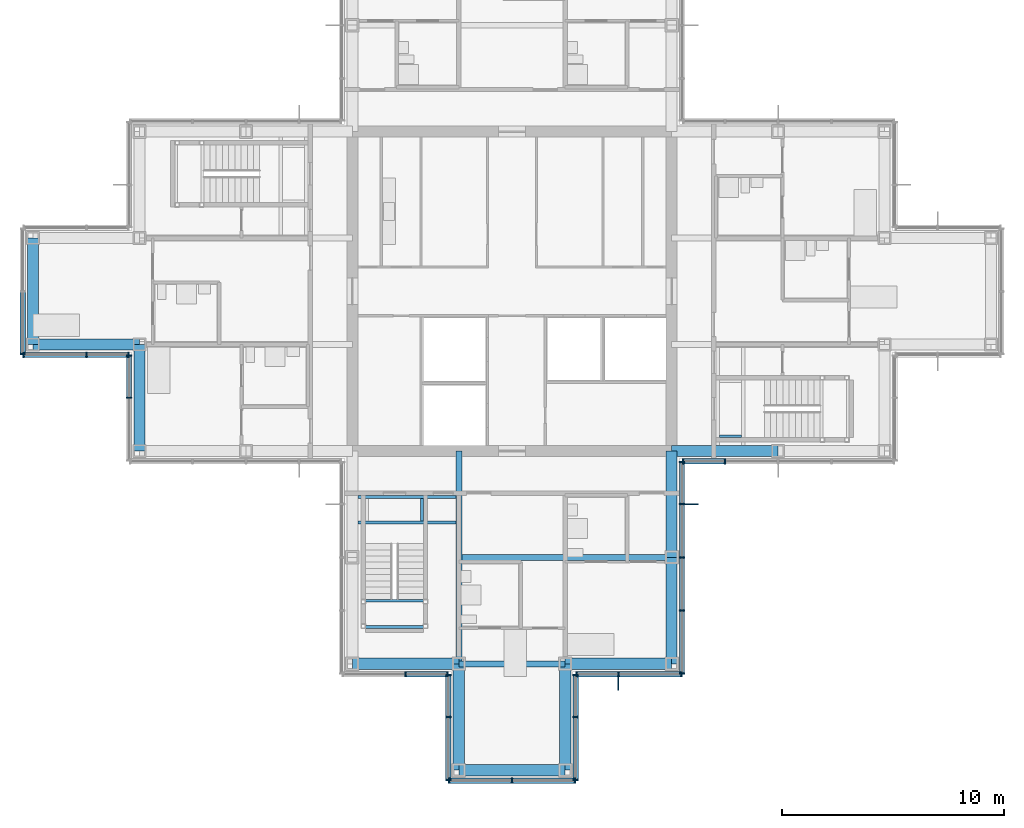
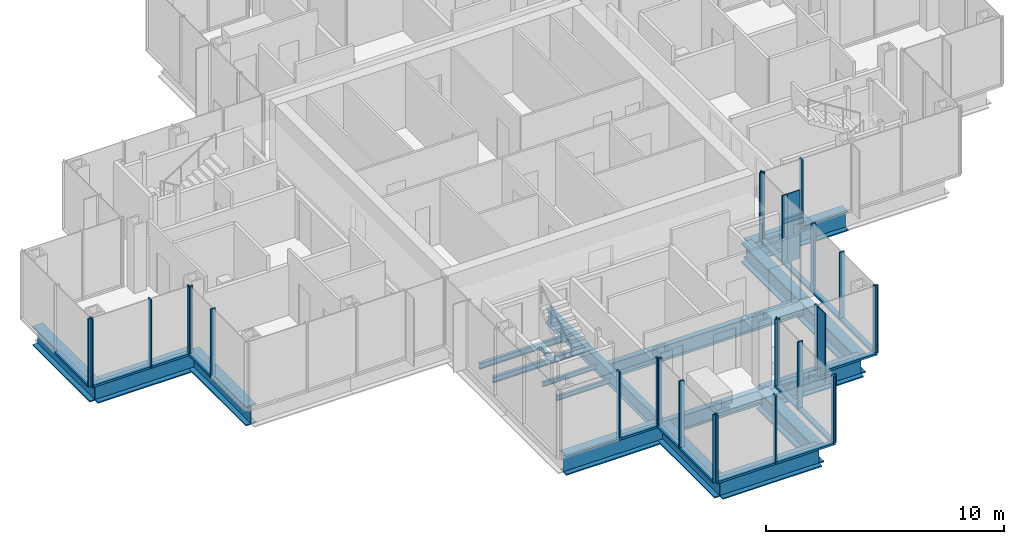
# One storey, part 6 of 17: 47 members, 20 beams, 10 elements without a shape of their own.
"""IFC4 building model written with IfcOpenShell, lengths in metres."""

from ifc_helpers import new_model, si_unit, direction, frame, origin, origin_2d, place, context, subcontext, project, spatial, rectangle, i_section, extrude, material, material_profile, profile_set, type_object, element, aggregate, save


model = new_model("IFC4")

# Units and contexts
model_context = context("Model", 3, precision=1e-05, world=origin(), true_north=direction((0.0, 1.0)))
body_context = subcontext(model_context, "Body", "Model", "MODEL_VIEW")
ifc_project = project(units=[si_unit("LENGTHUNIT", "METRE"), si_unit("AREAUNIT", "SQUARE_METRE"), si_unit("VOLUMEUNIT", "CUBIC_METRE"), si_unit("PLANEANGLEUNIT", "RADIAN"), si_unit("MASSUNIT", "GRAM", prefix="KILO")], contexts=[model_context])

# Site, building, storey
site_placement = place(None, origin())
site = spatial("IfcSite", under=ifc_project, at=site_placement, CompositionType="ELEMENT")
building_placement = place(site_placement, origin())
building = spatial("IfcBuilding", under=site, at=building_placement, Name="Kvirike Care Tower", CompositionType="ELEMENT")
storey_placement = place(building_placement, frame((0.0, 0.0, 179.5)))
storey = spatial("IfcBuildingStorey", under=building, at=storey_placement, Name="L49", CompositionType="ELEMENT", Elevation=179.5)

# Curtain wall, member
ifc_material_1 = material(Name="Anodised aluminium stick system", Category="aluminium")
curtain_wall_type = type_object("IfcCurtainWallType", Name="CW-C STICK CURTAIN WALL", PredefinedType="NOTDEFINED", material=ifc_material_1)
curtain_wall_1_placement = place(storey_placement, origin())
curtain_wall_1 = element("IfcCurtainWall", 1, at=curtain_wall_1_placement, inside=storey, type_object=curtain_wall_type, Name="Curtain wall L49 face 27", PredefinedType="NOTDEFINED")
ifc_material_2 = material(Name="Bronze anodised aluminium fin", Category="aluminium")
ifc_material_profile_1 = material_profile(ifc_material_2, rectangle(XDim=0.050048828125, YDim=0.60009765625, at=origin_2d()), Name="BRONZE FIN 600")
ifc_profile_set_1 = profile_set([ifc_material_profile_1], Name="Bronze anodised aluminium fin")
member_type_1 = type_object("IfcMemberType", Name="BRONZE FIN 600", PredefinedType="USERDEFINED", material=ifc_profile_set_1)
member_1_placement = place(storey_placement, frame((26.39990234375, 18.31005859375, 0.0), z_axis=(0.0, 0.0, 1.0), x_axis=(1.0, 0.0, 0.0)))
member_1 = element("IfcMember", 2, at=member_1_placement, type_object=member_type_1, Name="Bronze fin L49 face 27.2", ObjectType="FIN", PredefinedType="USERDEFINED", context=body_context, shape_type="SweptSolid", body=[
    extrude(rectangle(XDim=0.050048828125, YDim=0.60009765625, at=origin_2d()), origin(), (0.0, 0.0, 1.0), 3.5),
])

curtain_wall_2_placement = place(storey_placement, origin())
curtain_wall_2 = element("IfcCurtainWall", 3, at=curtain_wall_2_placement, inside=storey, type_object=curtain_wall_type, Name="Curtain wall L49 face 28", PredefinedType="NOTDEFINED")
member_2_placement = place(storey_placement, frame((29.68994140625, 26.39990234375, 0.0), z_axis=(0.0, 0.0, 1.0), x_axis=(0.0, 1.0, 0.0)))
member_2 = element("IfcMember", 4, at=member_2_placement, type_object=member_type_1, Name="Bronze fin L49 face 28.4", ObjectType="FIN", PredefinedType="USERDEFINED", context=body_context, shape_type="SweptSolid", body=[
    extrude(rectangle(XDim=0.050048828125, YDim=0.60009765625, at=origin_2d()), origin(), (0.0, 0.0, 1.0), 3.5),
])

# Curtain wall, members
curtain_wall_3_placement = place(storey_placement, origin())
curtain_wall_3 = element("IfcCurtainWall", 5, at=curtain_wall_3_placement, inside=storey, type_object=curtain_wall_type, Name="Curtain wall L49 face 1", PredefinedType="NOTDEFINED")
ifc_material_3 = material(Name="Bronze anodised aluminium mullion", Category="aluminium")
ifc_material_profile_2 = material_profile(ifc_material_3, rectangle(XDim=0.06494140625, YDim=0.239990234375, at=origin_2d()), Name="CW-C MULLION 65x240")
ifc_profile_set_2 = profile_set([ifc_material_profile_2], Name="Bronze anodised aluminium mullion")
member_type_2 = type_object("IfcMemberType", Name="CW-C MULLION 65x240", PredefinedType="MULLION", material=ifc_profile_set_2)
member_3_placement = place(storey_placement, frame((29.302490234375, 28.330078125, 0.0), z_axis=(0.0, 0.0, 1.0), x_axis=(1.0, 0.0, 0.0)))
member_3 = element("IfcMember", 6, at=member_3_placement, type_object=member_type_2, Name="CW-C mullion L49 face 1.1", PredefinedType="MULLION", context=body_context, shape_type="SweptSolid", body=[
    extrude(rectangle(XDim=0.06494140625, YDim=0.239990234375, at=origin_2d()), origin(), (0.0, 0.0, 1.0), 3.5),
])
member_4_placement = place(storey_placement, frame((31.199951171875, 28.330078125, 0.0), z_axis=(0.0, 0.0, 1.0), x_axis=(1.0, 0.0, 0.0)))
member_4 = element("IfcMember", 7, at=member_4_placement, type_object=member_type_2, Name="CW-C mullion L49 face 1.2", PredefinedType="MULLION", context=body_context, shape_type="SweptSolid", body=[
    extrude(rectangle(XDim=0.06494140625, YDim=0.239990234375, at=origin_2d()), origin(), (0.0, 0.0, 1.0), 3.5),
])

# Curtain wall, member
curtain_wall_4_placement = place(storey_placement, origin())
curtain_wall_4 = element("IfcCurtainWall", 8, at=curtain_wall_4_placement, inside=storey, type_object=curtain_wall_type, Name="Curtain wall L49 face 18", PredefinedType="NOTDEFINED")
member_5_placement = place(storey_placement, frame((-0.469970703125, 33.16259765625, 0.0), z_axis=(0.0, 0.0, 1.0), x_axis=(0.0, -1.0, 0.0)))
member_5 = element("IfcMember", 9, at=member_5_placement, type_object=member_type_2, Name="CW-C mullion L49 face 18.3", PredefinedType="MULLION", context=body_context, shape_type="SweptSolid", body=[
    extrude(rectangle(XDim=0.06494140625, YDim=0.239990234375, at=origin_2d()), origin(), (0.0, 0.0, 1.0), 3.5),
])

# Curtain wall, members
curtain_wall_5_placement = place(storey_placement, origin())
curtain_wall_5 = element("IfcCurtainWall", 10, at=curtain_wall_5_placement, inside=storey, type_object=curtain_wall_type, Name="Curtain wall L49 face 19", PredefinedType="NOTDEFINED")
member_6_placement = place(storey_placement, frame((-0.4375, 33.1298828125, 0.0), z_axis=(0.0, 0.0, 1.0), x_axis=(1.0, 0.0, 0.0)))
member_6 = element("IfcMember", 11, at=member_6_placement, type_object=member_type_2, Name="CW-C mullion L49 face 19.1", PredefinedType="MULLION", context=body_context, shape_type="SweptSolid", body=[
    extrude(rectangle(XDim=0.06494140625, YDim=0.239990234375, at=origin_2d()), origin(), (0.0, 0.0, 1.0), 3.5),
])
member_7_placement = place(storey_placement, frame((2.39990234375, 33.1298828125, 0.0), z_axis=(0.0, 0.0, 1.0), x_axis=(1.0, 0.0, 0.0)))
member_7 = element("IfcMember", 12, at=member_7_placement, type_object=member_type_2, Name="CW-C mullion L49 face 19.2", PredefinedType="MULLION", context=body_context, shape_type="SweptSolid", body=[
    extrude(rectangle(XDim=0.06494140625, YDim=0.239990234375, at=origin_2d()), origin(), (0.0, 0.0, 1.0), 3.5),
])
member_8_placement = place(storey_placement, frame((4.297607421875, 33.1298828125, 0.0), z_axis=(0.0, 0.0, 1.0), x_axis=(1.0, 0.0, 0.0)))
member_8 = element("IfcMember", 13, at=member_8_placement, type_object=member_type_2, Name="CW-C mullion L49 face 19.3", PredefinedType="MULLION", context=body_context, shape_type="SweptSolid", body=[
    extrude(rectangle(XDim=0.06494140625, YDim=0.239990234375, at=origin_2d()), origin(), (0.0, 0.0, 1.0), 3.5),
])

curtain_wall_6_placement = place(storey_placement, origin())
curtain_wall_6 = element("IfcCurtainWall", 14, at=curtain_wall_6_placement, inside=storey, type_object=curtain_wall_type, Name="Curtain wall L49 face 20", PredefinedType="NOTDEFINED")
member_9_placement = place(storey_placement, frame((4.330078125, 33.097412109375, 0.0), z_axis=(0.0, 0.0, 1.0), x_axis=(0.0, -1.0, 0.0)))
member_9 = element("IfcMember", 15, at=member_9_placement, type_object=member_type_2, Name="CW-C mullion L49 face 20.1", PredefinedType="MULLION", context=body_context, shape_type="SweptSolid", body=[
    extrude(rectangle(XDim=0.06494140625, YDim=0.239990234375, at=origin_2d()), origin(), (0.0, 0.0, 1.0), 3.5),
])
member_10_placement = place(storey_placement, frame((4.330078125, 31.199951171875, 0.0), z_axis=(0.0, 0.0, 1.0), x_axis=(0.0, -1.0, 0.0)))
member_10 = element("IfcMember", 16, at=member_10_placement, type_object=member_type_2, Name="CW-C mullion L49 face 20.2", PredefinedType="MULLION", context=body_context, shape_type="SweptSolid", body=[
    extrude(rectangle(XDim=0.06494140625, YDim=0.239990234375, at=origin_2d()), origin(), (0.0, 0.0, 1.0), 3.5),
])

curtain_wall_7_placement = place(storey_placement, origin())
curtain_wall_7 = element("IfcCurtainWall", 17, at=curtain_wall_7_placement, inside=storey, type_object=curtain_wall_type, Name="Curtain wall L49 face 23", PredefinedType="NOTDEFINED")
member_11_placement = place(storey_placement, frame((16.800048828125, 18.72998046875, 0.0), z_axis=(0.0, 0.0, 1.0), x_axis=(1.0, 0.0, 0.0)))
member_11 = element("IfcMember", 18, at=member_11_placement, type_object=member_type_2, Name="CW-C mullion L49 face 23.2", PredefinedType="MULLION", context=body_context, shape_type="SweptSolid", body=[
    extrude(rectangle(XDim=0.06494140625, YDim=0.239990234375, at=origin_2d()), origin(), (0.0, 0.0, 1.0), 3.5),
])
member_12_placement = place(storey_placement, frame((18.697509765625, 18.72998046875, 0.0), z_axis=(0.0, 0.0, 1.0), x_axis=(1.0, 0.0, 0.0)))
member_12 = element("IfcMember", 19, at=member_12_placement, type_object=member_type_2, Name="CW-C mullion L49 face 23.3", PredefinedType="MULLION", context=body_context, shape_type="SweptSolid", body=[
    extrude(rectangle(XDim=0.06494140625, YDim=0.239990234375, at=origin_2d()), origin(), (0.0, 0.0, 1.0), 3.5),
])

curtain_wall_8_placement = place(storey_placement, origin())
curtain_wall_8 = element("IfcCurtainWall", 20, at=curtain_wall_8_placement, inside=storey, type_object=curtain_wall_type, Name="Curtain wall L49 face 24", PredefinedType="NOTDEFINED")
member_13_placement = place(storey_placement, frame((18.72998046875, 18.697509765625, 0.0), z_axis=(0.0, 0.0, 1.0), x_axis=(0.0, -1.0, 0.0)))
member_13 = element("IfcMember", 21, at=member_13_placement, type_object=member_type_2, Name="CW-C mullion L49 face 24.1", PredefinedType="MULLION", context=body_context, shape_type="SweptSolid", body=[
    extrude(rectangle(XDim=0.06494140625, YDim=0.239990234375, at=origin_2d()), origin(), (0.0, 0.0, 1.0), 3.5),
])
member_14_placement = place(storey_placement, frame((18.72998046875, 16.800048828125, 0.0), z_axis=(0.0, 0.0, 1.0), x_axis=(0.0, -1.0, 0.0)))
member_14 = element("IfcMember", 22, at=member_14_placement, type_object=member_type_2, Name="CW-C mullion L49 face 24.2", PredefinedType="MULLION", context=body_context, shape_type="SweptSolid", body=[
    extrude(rectangle(XDim=0.06494140625, YDim=0.239990234375, at=origin_2d()), origin(), (0.0, 0.0, 1.0), 3.5),
])
member_15_placement = place(storey_placement, frame((18.72998046875, 13.96240234375, 0.0), z_axis=(0.0, 0.0, 1.0), x_axis=(0.0, -1.0, 0.0)))
member_15 = element("IfcMember", 23, at=member_15_placement, type_object=member_type_2, Name="CW-C mullion L49 face 24.3", PredefinedType="MULLION", context=body_context, shape_type="SweptSolid", body=[
    extrude(rectangle(XDim=0.06494140625, YDim=0.239990234375, at=origin_2d()), origin(), (0.0, 0.0, 1.0), 3.5),
])

curtain_wall_9_placement = place(storey_placement, origin())
curtain_wall_9 = element("IfcCurtainWall", 24, at=curtain_wall_9_placement, inside=storey, type_object=curtain_wall_type, Name="Curtain wall L49 face 25", PredefinedType="NOTDEFINED")
member_16_placement = place(storey_placement, frame((18.762451171875, 13.929931640625, 0.0), z_axis=(0.0, 0.0, 1.0), x_axis=(1.0, 0.0, 0.0)))
member_16 = element("IfcMember", 25, at=member_16_placement, type_object=member_type_2, Name="CW-C mullion L49 face 25.1", PredefinedType="MULLION", context=body_context, shape_type="SweptSolid", body=[
    extrude(rectangle(XDim=0.06494140625, YDim=0.239990234375, at=origin_2d()), origin(), (0.0, 0.0, 1.0), 3.5),
])
member_17_placement = place(storey_placement, frame((21.60009765625, 13.929931640625, 0.0), z_axis=(0.0, 0.0, 1.0), x_axis=(1.0, 0.0, 0.0)))
member_17 = element("IfcMember", 26, at=member_17_placement, type_object=member_type_2, Name="CW-C mullion L49 face 25.2", PredefinedType="MULLION", context=body_context, shape_type="SweptSolid", body=[
    extrude(rectangle(XDim=0.06494140625, YDim=0.239990234375, at=origin_2d()), origin(), (0.0, 0.0, 1.0), 3.5),
])
member_18_placement = place(storey_placement, frame((24.4375, 13.929931640625, 0.0), z_axis=(0.0, 0.0, 1.0), x_axis=(1.0, 0.0, 0.0)))
member_18 = element("IfcMember", 27, at=member_18_placement, type_object=member_type_2, Name="CW-C mullion L49 face 25.3", PredefinedType="MULLION", context=body_context, shape_type="SweptSolid", body=[
    extrude(rectangle(XDim=0.06494140625, YDim=0.239990234375, at=origin_2d()), origin(), (0.0, 0.0, 1.0), 3.5),
])

curtain_wall_10_placement = place(storey_placement, origin())
curtain_wall_10 = element("IfcCurtainWall", 28, at=curtain_wall_10_placement, inside=storey, type_object=curtain_wall_type, Name="Curtain wall L49 face 26", PredefinedType="NOTDEFINED")
member_19_placement = place(storey_placement, frame((24.469970703125, 13.96240234375, 0.0), z_axis=(0.0, 0.0, 1.0), x_axis=(0.0, 1.0, 0.0)))
member_19 = element("IfcMember", 29, at=member_19_placement, type_object=member_type_2, Name="CW-C mullion L49 face 26.1", PredefinedType="MULLION", context=body_context, shape_type="SweptSolid", body=[
    extrude(rectangle(XDim=0.06494140625, YDim=0.239990234375, at=origin_2d()), origin(), (0.0, 0.0, 1.0), 3.5),
])
member_20_placement = place(storey_placement, frame((24.469970703125, 16.800048828125, 0.0), z_axis=(0.0, 0.0, 1.0), x_axis=(0.0, 1.0, 0.0)))
member_20 = element("IfcMember", 30, at=member_20_placement, type_object=member_type_2, Name="CW-C mullion L49 face 26.2", PredefinedType="MULLION", context=body_context, shape_type="SweptSolid", body=[
    extrude(rectangle(XDim=0.06494140625, YDim=0.239990234375, at=origin_2d()), origin(), (0.0, 0.0, 1.0), 3.5),
])
member_21_placement = place(storey_placement, frame((24.469970703125, 18.697509765625, 0.0), z_axis=(0.0, 0.0, 1.0), x_axis=(0.0, 1.0, 0.0)))
member_21 = element("IfcMember", 31, at=member_21_placement, type_object=member_type_2, Name="CW-C mullion L49 face 26.3", PredefinedType="MULLION", context=body_context, shape_type="SweptSolid", body=[
    extrude(rectangle(XDim=0.06494140625, YDim=0.239990234375, at=origin_2d()), origin(), (0.0, 0.0, 1.0), 3.5),
])

# Member
member_22_placement = place(storey_placement, frame((24.50244140625, 18.72998046875, 0.0), z_axis=(0.0, 0.0, 1.0), x_axis=(1.0, 0.0, 0.0)))
member_22 = element("IfcMember", 32, at=member_22_placement, type_object=member_type_2, Name="CW-C mullion L49 face 27.1", PredefinedType="MULLION", context=body_context, shape_type="SweptSolid", body=[
    extrude(rectangle(XDim=0.06494140625, YDim=0.239990234375, at=origin_2d()), origin(), (0.0, 0.0, 1.0), 3.5),
])

member_23_placement = place(storey_placement, frame((26.39990234375, 18.72998046875, 0.0), z_axis=(0.0, 0.0, 1.0), x_axis=(1.0, 0.0, 0.0)))
member_23 = element("IfcMember", 33, at=member_23_placement, type_object=member_type_2, Name="CW-C mullion L49 face 27.2", PredefinedType="MULLION", context=body_context, shape_type="SweptSolid", body=[
    extrude(rectangle(XDim=0.06494140625, YDim=0.239990234375, at=origin_2d()), origin(), (0.0, 0.0, 1.0), 3.5),
])

member_24_placement = place(storey_placement, frame((29.237548828125, 18.72998046875, 0.0), z_axis=(0.0, 0.0, 1.0), x_axis=(1.0, 0.0, 0.0)))
member_24 = element("IfcMember", 34, at=member_24_placement, type_object=member_type_2, Name="CW-C mullion L49 face 27.3", PredefinedType="MULLION", context=body_context, shape_type="SweptSolid", body=[
    extrude(rectangle(XDim=0.06494140625, YDim=0.239990234375, at=origin_2d()), origin(), (0.0, 0.0, 1.0), 3.5),
])

member_25_placement = place(storey_placement, frame((29.27001953125, 18.762451171875, 0.0), z_axis=(0.0, 0.0, 1.0), x_axis=(0.0, 1.0, 0.0)))
member_25 = element("IfcMember", 35, at=member_25_placement, type_object=member_type_2, Name="CW-C mullion L49 face 28.1", PredefinedType="MULLION", context=body_context, shape_type="SweptSolid", body=[
    extrude(rectangle(XDim=0.06494140625, YDim=0.239990234375, at=origin_2d()), origin(), (0.0, 0.0, 1.0), 3.5),
])

member_26_placement = place(storey_placement, frame((29.27001953125, 21.60009765625, 0.0), z_axis=(0.0, 0.0, 1.0), x_axis=(0.0, 1.0, 0.0)))
member_26 = element("IfcMember", 36, at=member_26_placement, type_object=member_type_2, Name="CW-C mullion L49 face 28.2", PredefinedType="MULLION", context=body_context, shape_type="SweptSolid", body=[
    extrude(rectangle(XDim=0.06494140625, YDim=0.239990234375, at=origin_2d()), origin(), (0.0, 0.0, 1.0), 3.5),
])

member_27_placement = place(storey_placement, frame((29.27001953125, 24.0, 0.0), z_axis=(0.0, 0.0, 1.0), x_axis=(0.0, 1.0, 0.0)))
member_27 = element("IfcMember", 37, at=member_27_placement, type_object=member_type_2, Name="CW-C mullion L49 face 28.3", PredefinedType="MULLION", context=body_context, shape_type="SweptSolid", body=[
    extrude(rectangle(XDim=0.06494140625, YDim=0.239990234375, at=origin_2d()), origin(), (0.0, 0.0, 1.0), 3.5),
])

member_28_placement = place(storey_placement, frame((29.27001953125, 26.39990234375, 0.0), z_axis=(0.0, 0.0, 1.0), x_axis=(0.0, 1.0, 0.0)))
member_28 = element("IfcMember", 38, at=member_28_placement, type_object=member_type_2, Name="CW-C mullion L49 face 28.4", PredefinedType="MULLION", context=body_context, shape_type="SweptSolid", body=[
    extrude(rectangle(XDim=0.06494140625, YDim=0.239990234375, at=origin_2d()), origin(), (0.0, 0.0, 1.0), 3.5),
])

member_29_placement = place(storey_placement, frame((29.27001953125, 28.297607421875, 0.0), z_axis=(0.0, 0.0, 1.0), x_axis=(0.0, 1.0, 0.0)))
member_29 = element("IfcMember", 39, at=member_29_placement, type_object=member_type_2, Name="CW-C mullion L49 face 28.5", PredefinedType="MULLION", context=body_context, shape_type="SweptSolid", body=[
    extrude(rectangle(XDim=0.06494140625, YDim=0.239990234375, at=origin_2d()), origin(), (0.0, 0.0, 1.0), 3.5),
])

ifc_material_4 = material(Name="Bronze anodised aluminium transom", Category="aluminium")
ifc_material_profile_3 = material_profile(ifc_material_4, rectangle(XDim=0.239990234375, YDim=0.10009765625, at=origin_2d()), Name="CW-C TRANSOM 240x100")
ifc_profile_set_3 = profile_set([ifc_material_profile_3], Name="Bronze anodised aluminium transom")
member_type_3 = type_object("IfcMemberType", Name="CW-C TRANSOM 240x100", PredefinedType="USERDEFINED", material=ifc_profile_set_3)
member_30_placement = place(storey_placement, frame((29.3349609375, 28.330078125, 0.050048828125), z_axis=(1.0, 0.0, 0.0), x_axis=(0.0, 1.0, 0.0)))
member_30 = element("IfcMember", 40, at=member_30_placement, type_object=member_type_3, Name="CW-C sill transom L49 face 1.1", ObjectType="TRANSOM", PredefinedType="USERDEFINED", context=body_context, shape_type="SweptSolid", body=[
    extrude(rectangle(XDim=0.239990234375, YDim=0.10009765625, at=origin_2d()), origin(), (0.0, 0.0, 1.0), 1.83251953125),
])

aggregate(curtain_wall_3, [member_3, member_4, member_30])

member_31_placement = place(storey_placement, frame((-0.469970703125, 35.967529296875, 0.050048828125), z_axis=(0.0, -1.0, 0.0), x_axis=(1.0, 0.0, 0.0)))
member_31 = element("IfcMember", 41, at=member_31_placement, type_object=member_type_3, Name="CW-C sill transom L49 face 18.2", ObjectType="TRANSOM", PredefinedType="USERDEFINED", context=body_context, shape_type="SweptSolid", body=[
    extrude(rectangle(XDim=0.239990234375, YDim=0.10009765625, at=origin_2d()), origin(), (0.0, 0.0, 1.0), 2.7724609375),
])

aggregate(curtain_wall_4, [member_5, member_31])

member_32_placement = place(storey_placement, frame((-0.405029296875, 33.1298828125, 0.050048828125), z_axis=(1.0, 0.0, 0.0), x_axis=(0.0, 1.0, 0.0)))
member_32 = element("IfcMember", 42, at=member_32_placement, type_object=member_type_3, Name="CW-C sill transom L49 face 19.1", ObjectType="TRANSOM", PredefinedType="USERDEFINED", context=body_context, shape_type="SweptSolid", body=[
    extrude(rectangle(XDim=0.239990234375, YDim=0.10009765625, at=origin_2d()), origin(), (0.0, 0.0, 1.0), 2.7724609375),
])

member_33_placement = place(storey_placement, frame((2.4326171875, 33.1298828125, 0.050048828125), z_axis=(1.0, 0.0, 0.0), x_axis=(0.0, 1.0, 0.0)))
member_33 = element("IfcMember", 43, at=member_33_placement, type_object=member_type_3, Name="CW-C sill transom L49 face 19.2", ObjectType="TRANSOM", PredefinedType="USERDEFINED", context=body_context, shape_type="SweptSolid", body=[
    extrude(rectangle(XDim=0.239990234375, YDim=0.10009765625, at=origin_2d()), origin(), (0.0, 0.0, 1.0), 1.832275390625),
])

aggregate(curtain_wall_5, [member_6, member_7, member_8, member_32, member_33])

member_34_placement = place(storey_placement, frame((4.330078125, 33.06494140625, 0.050048828125), z_axis=(0.0, -1.0, 0.0), x_axis=(1.0, 0.0, 0.0)))
member_34 = element("IfcMember", 44, at=member_34_placement, type_object=member_type_3, Name="CW-C sill transom L49 face 20.1", ObjectType="TRANSOM", PredefinedType="USERDEFINED", context=body_context, shape_type="SweptSolid", body=[
    extrude(rectangle(XDim=0.239990234375, YDim=0.10009765625, at=origin_2d()), origin(), (0.0, 0.0, 1.0), 1.83251953125),
])

aggregate(curtain_wall_6, [member_9, member_10, member_34])

member_35_placement = place(storey_placement, frame((16.83251953125, 18.72998046875, 0.050048828125), z_axis=(1.0, 0.0, 0.0), x_axis=(0.0, 1.0, 0.0)))
member_35 = element("IfcMember", 45, at=member_35_placement, type_object=member_type_3, Name="CW-C sill transom L49 face 23.2", ObjectType="TRANSOM", PredefinedType="USERDEFINED", context=body_context, shape_type="SweptSolid", body=[
    extrude(rectangle(XDim=0.239990234375, YDim=0.10009765625, at=origin_2d()), origin(), (0.0, 0.0, 1.0), 1.83251953125),
])

aggregate(curtain_wall_7, [member_11, member_12, member_35])

member_36_placement = place(storey_placement, frame((18.72998046875, 18.6650390625, 0.050048828125), z_axis=(0.0, -1.0, 0.0), x_axis=(1.0, 0.0, 0.0)))
member_36 = element("IfcMember", 46, at=member_36_placement, type_object=member_type_3, Name="CW-C sill transom L49 face 24.1", ObjectType="TRANSOM", PredefinedType="USERDEFINED", context=body_context, shape_type="SweptSolid", body=[
    extrude(rectangle(XDim=0.239990234375, YDim=0.10009765625, at=origin_2d()), origin(), (0.0, 0.0, 1.0), 1.83251953125),
])

member_37_placement = place(storey_placement, frame((18.72998046875, 16.767578125, 0.050048828125), z_axis=(0.0, -1.0, 0.0), x_axis=(1.0, 0.0, 0.0)))
member_37 = element("IfcMember", 47, at=member_37_placement, type_object=member_type_3, Name="CW-C sill transom L49 face 24.2", ObjectType="TRANSOM", PredefinedType="USERDEFINED", context=body_context, shape_type="SweptSolid", body=[
    extrude(rectangle(XDim=0.239990234375, YDim=0.10009765625, at=origin_2d()), origin(), (0.0, 0.0, 1.0), 2.7724609375),
])

aggregate(curtain_wall_8, [member_13, member_14, member_15, member_36, member_37])

member_38_placement = place(storey_placement, frame((18.794921875, 13.929931640625, 0.050048828125), z_axis=(1.0, 0.0, 0.0), x_axis=(0.0, 1.0, 0.0)))
member_38 = element("IfcMember", 48, at=member_38_placement, type_object=member_type_3, Name="CW-C sill transom L49 face 25.1", ObjectType="TRANSOM", PredefinedType="USERDEFINED", context=body_context, shape_type="SweptSolid", body=[
    extrude(rectangle(XDim=0.239990234375, YDim=0.10009765625, at=origin_2d()), origin(), (0.0, 0.0, 1.0), 2.7724609375),
])

member_39_placement = place(storey_placement, frame((21.632568359375, 13.929931640625, 0.050048828125), z_axis=(1.0, 0.0, 0.0), x_axis=(0.0, 1.0, 0.0)))
member_39 = element("IfcMember", 49, at=member_39_placement, type_object=member_type_3, Name="CW-C sill transom L49 face 25.2", ObjectType="TRANSOM", PredefinedType="USERDEFINED", context=body_context, shape_type="SweptSolid", body=[
    extrude(rectangle(XDim=0.239990234375, YDim=0.10009765625, at=origin_2d()), origin(), (0.0, 0.0, 1.0), 2.7724609375),
])

aggregate(curtain_wall_9, [member_16, member_17, member_18, member_38, member_39])

member_40_placement = place(storey_placement, frame((24.469970703125, 13.9951171875, 0.050048828125), z_axis=(0.0, 1.0, 0.0), x_axis=(-1.0, 0.0, 0.0)))
member_40 = element("IfcMember", 50, at=member_40_placement, type_object=member_type_3, Name="CW-C sill transom L49 face 26.1", ObjectType="TRANSOM", PredefinedType="USERDEFINED", context=body_context, shape_type="SweptSolid", body=[
    extrude(rectangle(XDim=0.239990234375, YDim=0.10009765625, at=origin_2d()), origin(), (0.0, 0.0, 1.0), 2.7724609375),
])

member_41_placement = place(storey_placement, frame((24.469970703125, 16.83251953125, 0.050048828125), z_axis=(0.0, 1.0, 0.0), x_axis=(-1.0, 0.0, 0.0)))
member_41 = element("IfcMember", 51, at=member_41_placement, type_object=member_type_3, Name="CW-C sill transom L49 face 26.2", ObjectType="TRANSOM", PredefinedType="USERDEFINED", context=body_context, shape_type="SweptSolid", body=[
    extrude(rectangle(XDim=0.239990234375, YDim=0.10009765625, at=origin_2d()), origin(), (0.0, 0.0, 1.0), 1.83251953125),
])

aggregate(curtain_wall_10, [member_19, member_20, member_21, member_40, member_41])

member_42_placement = place(storey_placement, frame((24.534912109375, 18.72998046875, 0.050048828125), z_axis=(1.0, 0.0, 0.0), x_axis=(0.0, 1.0, 0.0)))
member_42 = element("IfcMember", 52, at=member_42_placement, type_object=member_type_3, Name="CW-C sill transom L49 face 27.1", ObjectType="TRANSOM", PredefinedType="USERDEFINED", context=body_context, shape_type="SweptSolid", body=[
    extrude(rectangle(XDim=0.239990234375, YDim=0.10009765625, at=origin_2d()), origin(), (0.0, 0.0, 1.0), 1.83251953125),
])

member_43_placement = place(storey_placement, frame((26.4326171875, 18.72998046875, 0.050048828125), z_axis=(1.0, 0.0, 0.0), x_axis=(0.0, 1.0, 0.0)))
member_43 = element("IfcMember", 53, at=member_43_placement, type_object=member_type_3, Name="CW-C sill transom L49 face 27.2", ObjectType="TRANSOM", PredefinedType="USERDEFINED", context=body_context, shape_type="SweptSolid", body=[
    extrude(rectangle(XDim=0.239990234375, YDim=0.10009765625, at=origin_2d()), origin(), (0.0, 0.0, 1.0), 2.7724609375),
])

aggregate(curtain_wall_1, [member_22, member_23, member_1, member_24, member_42, member_43])

member_44_placement = place(storey_placement, frame((29.27001953125, 18.794921875, 0.050048828125), z_axis=(0.0, 1.0, 0.0), x_axis=(-1.0, 0.0, 0.0)))
member_44 = element("IfcMember", 54, at=member_44_placement, type_object=member_type_3, Name="CW-C sill transom L49 face 28.1", ObjectType="TRANSOM", PredefinedType="USERDEFINED", context=body_context, shape_type="SweptSolid", body=[
    extrude(rectangle(XDim=0.239990234375, YDim=0.10009765625, at=origin_2d()), origin(), (0.0, 0.0, 1.0), 2.7724609375),
])

member_45_placement = place(storey_placement, frame((29.27001953125, 21.632568359375, 0.050048828125), z_axis=(0.0, 1.0, 0.0), x_axis=(-1.0, 0.0, 0.0)))
member_45 = element("IfcMember", 55, at=member_45_placement, type_object=member_type_3, Name="CW-C sill transom L49 face 28.2", ObjectType="TRANSOM", PredefinedType="USERDEFINED", context=body_context, shape_type="SweptSolid", body=[
    extrude(rectangle(XDim=0.239990234375, YDim=0.10009765625, at=origin_2d()), origin(), (0.0, 0.0, 1.0), 2.3349609375),
])

member_46_placement = place(storey_placement, frame((29.27001953125, 24.032470703125, 0.050048828125), z_axis=(0.0, 1.0, 0.0), x_axis=(-1.0, 0.0, 0.0)))
member_46 = element("IfcMember", 56, at=member_46_placement, type_object=member_type_3, Name="CW-C sill transom L49 face 28.3", ObjectType="TRANSOM", PredefinedType="USERDEFINED", context=body_context, shape_type="SweptSolid", body=[
    extrude(rectangle(XDim=0.239990234375, YDim=0.10009765625, at=origin_2d()), origin(), (0.0, 0.0, 1.0), 2.3349609375),
])

member_47_placement = place(storey_placement, frame((29.27001953125, 26.4326171875, 0.050048828125), z_axis=(0.0, 1.0, 0.0), x_axis=(-1.0, 0.0, 0.0)))
member_47 = element("IfcMember", 57, at=member_47_placement, type_object=member_type_3, Name="CW-C sill transom L49 face 28.4", ObjectType="TRANSOM", PredefinedType="USERDEFINED", context=body_context, shape_type="SweptSolid", body=[
    extrude(rectangle(XDim=0.239990234375, YDim=0.10009765625, at=origin_2d()), origin(), (0.0, 0.0, 1.0), 1.832275390625),
])

aggregate(curtain_wall_2, [member_25, member_26, member_27, member_28, member_2, member_29, member_44, member_45, member_46, member_47])

# Beams
ifc_material_5 = material(Name="Steel S355", Category="steel")
ifc_material_profile_4 = material_profile(ifc_material_5, i_section(OverallWidth=0.26806640625, OverallDepth=0.77001953125, WebThickness=0.015625, FlangeThickness=0.025390625, FilletRadius=0.01708984375, at=origin_2d()), Name="IPE 750x196")
ifc_profile_set_4 = profile_set([ifc_material_profile_4], Name="Steel S355")
beam_type_1 = type_object("IfcBeamType", Name="FLOOR BEAM IPE 750x196", PredefinedType="BEAM", material=ifc_profile_set_4)
beam_1_placement = place(storey_placement, frame((19.199951171875, 19.199951171875, -0.554931640625), z_axis=(1.0, 0.0, 0.0), x_axis=(0.0, 1.0, 0.0)))
element("IfcBeam", 58, at=beam_1_placement, inside=storey, type_object=beam_type_1, Name="Floor Beam E7-E8 L49", PredefinedType="BEAM", context=body_context, shape_type="SweptSolid", body=[
    extrude(i_section(OverallWidth=0.26806640625, OverallDepth=0.77001953125, WebThickness=0.015625, FlangeThickness=0.025390625, FilletRadius=0.01708984375, at=origin_2d()), origin(), (0.0, 0.0, 1.0), 4.800048828125),
])
for number, where, z_axis, x_axis, name in (
    (59, (19.199951171875, 24.0, -0.554931640625), (1.0, 0.0, 0.0), (0.0, 1.0, 0.0), "Floor Beam F7-F9 L49"),
    (60, (19.199951171875, 19.199951171875, -0.554931640625), (0.0, 1.0, 0.0), (-1.0, 0.0, 0.0), "Floor Beam E7-G7 L49"),
):
    element("IfcBeam", number, at=place(storey_placement, frame(where, z_axis=z_axis, x_axis=x_axis)), inside=storey, type_object=beam_type_1, Name=name, PredefinedType="BEAM", context=body_context, shape_type="SweptSolid", body=[
        extrude(i_section(OverallWidth=0.26806640625, OverallDepth=0.77001953125, WebThickness=0.015625, FlangeThickness=0.025390625, FilletRadius=0.01708984375, at=origin_2d()), origin(), (0.0, 0.0, 1.0), 9.60009765625),
    ])
ifc_material_6 = material(Name="Steel S355", Category="steel")
ifc_material_profile_5 = material_profile(ifc_material_6, i_section(OverallWidth=0.5, OverallDepth=1.0, WebThickness=0.030029296875, FlangeThickness=0.06005859375, at=origin_2d()), Name="PG 1000x500x30x60")
ifc_profile_set_5 = profile_set([ifc_material_profile_5], Name="Steel S355")
beam_type_2 = type_object("IfcBeamType", Name="SPANDREL PG 1000x500x30x60", PredefinedType="SPANDREL", material=ifc_profile_set_5)
for number, where, z_axis, x_axis, name in (
    (61, (19.199951171875, 14.39990234375, -0.669921875), (1.0, 0.0, 0.0), (0.0, 1.0, 0.0), "Spandrel D7-D8 L49"),
    (62, (14.39990234375, 19.199951171875, -0.669921875), (1.0, 0.0, 0.0), (0.0, 1.0, 0.0), "Spandrel E6-E7 L49"),
    (63, (24.0, 19.199951171875, -0.669921875), (1.0, 0.0, 0.0), (0.0, 1.0, 0.0), "Spandrel E8-E9 L49"),
    (64, (28.800048828125, 28.800048828125, -0.669921875), (1.0, 0.0, 0.0), (0.0, 1.0, 0.0), "Spandrel G9-G10 L49"),
    (65, (0.0, 33.60009765625, -0.669921875), (1.0, 0.0, 0.0), (0.0, 1.0, 0.0), "Spandrel H3-H4 L49"),
):
    element("IfcBeam", number, at=place(storey_placement, frame(where, z_axis=z_axis, x_axis=x_axis)), inside=storey, type_object=beam_type_2, Name=name, PredefinedType="SPANDREL", context=body_context, shape_type="SweptSolid", body=[
        extrude(i_section(OverallWidth=0.5, OverallDepth=1.0, WebThickness=0.030029296875, FlangeThickness=0.06005859375, at=origin_2d()), origin(), (0.0, 0.0, 1.0), 4.800048828125),
    ])
beam_2_placement = place(storey_placement, frame((0.0, 33.60009765625, -0.669921875), z_axis=(0.0, 1.0, 0.0), x_axis=(-1.0, 0.0, 0.0)))
element("IfcBeam", 66, at=beam_2_placement, inside=storey, type_object=beam_type_2, Name="Spandrel H3-J3 L49", PredefinedType="SPANDREL", context=body_context, shape_type="SweptSolid", body=[
    extrude(i_section(OverallWidth=0.5, OverallDepth=1.0, WebThickness=0.030029296875, FlangeThickness=0.06005859375, at=origin_2d()), origin(), (0.0, 0.0, 1.0), 4.7998046875),
])
for number, where, z_axis, x_axis, name in (
    (67, (4.800048828125, 28.800048828125, -0.669921875), (0.0, 1.0, 0.0), (-1.0, 0.0, 0.0), "Spandrel G4-H4 L49"),
    (68, (19.199951171875, 14.39990234375, -0.669921875), (0.0, 1.0, 0.0), (-1.0, 0.0, 0.0), "Spandrel D7-E7 L49"),
    (69, (24.0, 14.39990234375, -0.669921875), (0.0, 1.0, 0.0), (-1.0, 0.0, 0.0), "Spandrel D8-E8 L49"),
    (70, (28.800048828125, 19.199951171875, -0.669921875), (0.0, 1.0, 0.0), (-1.0, 0.0, 0.0), "Spandrel E9-F9 L49"),
    (71, (28.800048828125, 24.0, -0.669921875), (0.0, 1.0, 0.0), (-1.0, 0.0, 0.0), "Spandrel F9-G9 L49"),
):
    element("IfcBeam", number, at=place(storey_placement, frame(where, z_axis=z_axis, x_axis=x_axis)), inside=storey, type_object=beam_type_2, Name=name, PredefinedType="SPANDREL", context=body_context, shape_type="SweptSolid", body=[
        extrude(i_section(OverallWidth=0.5, OverallDepth=1.0, WebThickness=0.030029296875, FlangeThickness=0.06005859375, at=origin_2d()), origin(), (0.0, 0.0, 1.0), 4.800048828125),
    ])
ifc_material_7 = material(Name="Steel S355", Category="steel")
ifc_material_profile_6 = material_profile(ifc_material_7, i_section(OverallWidth=0.1201171875, OverallDepth=0.239990234375, WebThickness=0.006103515625, FlangeThickness=0.009765625, FilletRadius=0.014892578125, at=origin_2d()), Name="IPE 240")
ifc_profile_set_6 = profile_set([ifc_material_profile_6], Name="Steel S355")
beam_type_3 = type_object("IfcBeamType", Name="STAIR LANDING BEAM IPE 240", PredefinedType="BEAM", material=ifc_profile_set_6)
beam_3_placement = place(storey_placement, frame((31.949951171875, 29.4599609375, -0.320068359375), z_axis=(-1.0, 0.0, 0.0), x_axis=(0.0, -1.0, 0.0)))
element("IfcBeam", 72, at=beam_3_placement, inside=storey, type_object=beam_type_3, Name="Stair 2 landing edge beam 1 L49", PredefinedType="BEAM", context=body_context, shape_type="SweptSolid", body=[
    extrude(i_section(OverallWidth=0.1201171875, OverallDepth=0.239990234375, WebThickness=0.006103515625, FlangeThickness=0.009765625, FilletRadius=0.014892578125, at=origin_2d()), origin(), (0.0, 0.0, 1.0), 1.0),
])
for number, where, z_axis, x_axis, name in (
    (73, (15.0, 20.860107421875, 1.429931640625), (1.0, 0.0, 0.0), (0.0, 1.0, 0.0), "Stair 5 landing beam back L49"),
    (74, (15.0, 22.0400390625, 1.429931640625), (1.0, 0.0, 0.0), (0.0, 1.0, 0.0), "Stair 5 landing beam front L49"),
):
    element("IfcBeam", number, at=place(storey_placement, frame(where, z_axis=z_axis, x_axis=x_axis)), inside=storey, type_object=beam_type_3, Name=name, PredefinedType="BEAM", context=body_context, shape_type="SweptSolid", body=[
        extrude(i_section(OverallWidth=0.1201171875, OverallDepth=0.239990234375, WebThickness=0.006103515625, FlangeThickness=0.009765625, FilletRadius=0.014892578125, at=origin_2d()), origin(), (0.0, 0.0, 1.0), 2.60009765625),
    ])
beam_4_placement = place(storey_placement, frame((17.5400390625, 25.64990234375, -0.320068359375), z_axis=(0.0, 1.0, 0.0), x_axis=(-1.0, 0.0, 0.0)))
element("IfcBeam", 75, at=beam_4_placement, inside=storey, type_object=beam_type_3, Name="Stair 5 landing edge beam 2 L49", PredefinedType="BEAM", context=body_context, shape_type="SweptSolid", body=[
    extrude(i_section(OverallWidth=0.1201171875, OverallDepth=0.239990234375, WebThickness=0.006103515625, FlangeThickness=0.009765625, FilletRadius=0.014892578125, at=origin_2d()), origin(), (0.0, 0.0, 1.0), 1.0),
])
ifc_material_8 = material(Name="Steel S355", Category="steel")
ifc_material_profile_7 = material_profile(ifc_material_8, i_section(OverallWidth=0.14990234375, OverallDepth=0.300048828125, WebThickness=0.007080078125, FlangeThickness=0.0107421875, FilletRadius=0.014892578125, at=origin_2d()), Name="IPE 300")
ifc_profile_set_7 = profile_set([ifc_material_profile_7], Name="Steel S355")
beam_type_4 = type_object("IfcBeamType", Name="STAIR TRIMMER IPE 300", PredefinedType="BEAM", material=ifc_profile_set_7)
for number, where, z_axis, x_axis, name in (
    (76, (14.64990234375, 25.574951171875, -0.35009765625), (1.0, 0.0, 0.0), (0.0, 1.0, 0.0), "Stair 5 trimmer 1 L49"),
    (77, (14.64990234375, 26.72509765625, -0.35009765625), (1.0, 0.0, 0.0), (0.0, 1.0, 0.0), "Stair 5 trimmer 2 L49"),
):
    element("IfcBeam", number, at=place(storey_placement, frame(where, z_axis=z_axis, x_axis=x_axis)), inside=storey, type_object=beam_type_4, Name=name, PredefinedType="BEAM", context=body_context, shape_type="SweptSolid", body=[
        extrude(i_section(OverallWidth=0.14990234375, OverallDepth=0.300048828125, WebThickness=0.007080078125, FlangeThickness=0.0107421875, FilletRadius=0.014892578125, at=origin_2d()), origin(), (0.0, 0.0, 1.0), 4.416015625),
    ])

save(model, "model.ifc")
